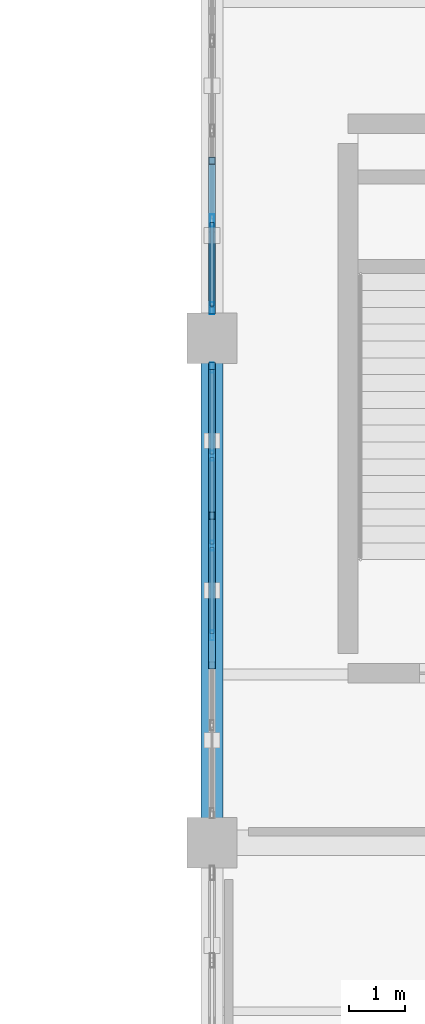
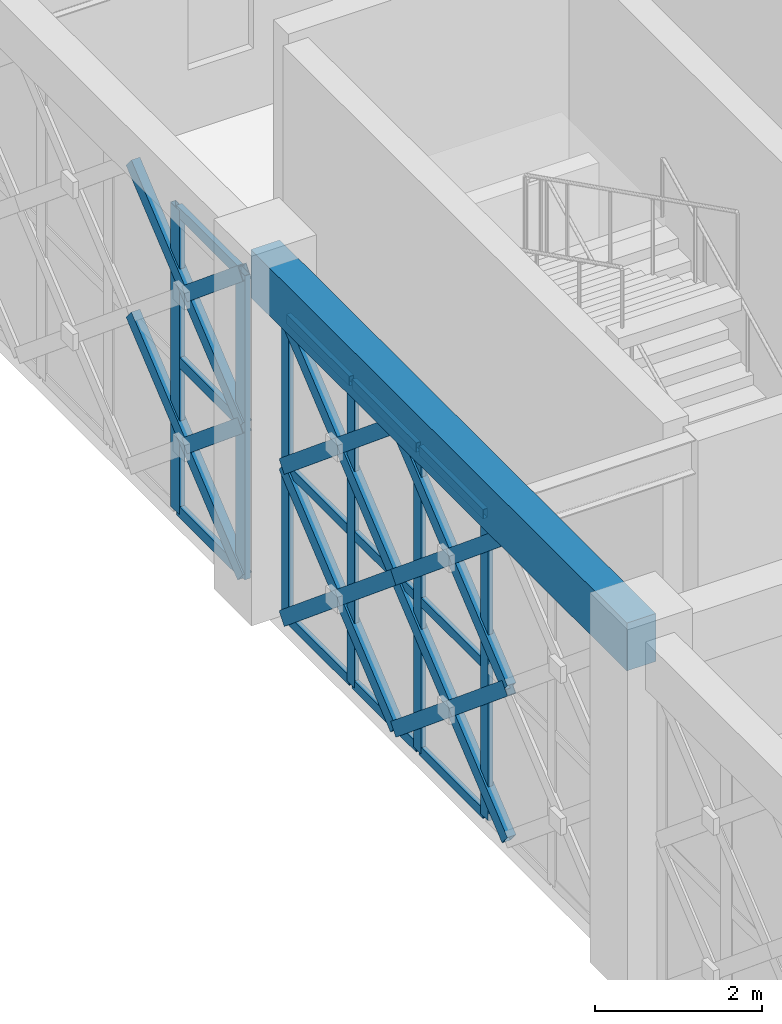
# One storey, part 49 of 166: 34 members, 1 beam, 2 elements without a shape of their own.
"""IFC4 building model written with IfcOpenShell, lengths in metres."""

import ifcopenshell
import ifcopenshell.guid

model = None  # the IFC model being written
_history = None  # IfcOwnerHistory: only IFC2X3 demands one
_inside = {}  # id of a spatial element -> (the spatial element, [elements in it])
_under = {}  # id of a project, library or spatial element -> (it, [spatial elements below it])
_declared = {}  # id of a project -> (the project, [libraries it declares])
_typed = {}  # id of a type object -> (the type object, [elements of that type])
_made_of = {}  # id of a material, layer set ... -> (it, [elements and type objects made of it])


def new_model(schema):
    """Start an empty IFC model of exactly this schema.

    Asked for "IFC4X3", IfcOpenShell would pick the latest addendum, in which some entities
    have other attributes; the version numbers below select the first issue.
    IFC2X3 requires an IfcOwnerHistory on every rooted entity: one is made here for all.
    """
    global model, _history
    if schema == "IFC4X3":
        model = ifcopenshell.file(schema_version=(4, 3, 0, 0))
    else:
        model = ifcopenshell.file(schema=schema)
    _inside.clear()
    _under.clear()
    _declared.clear()
    _typed.clear()
    _made_of.clear()
    _history = None
    if model.schema == "IFC2X3":
        org = make("IfcOrganization", Name="unknown")
        user = make(
            "IfcPersonAndOrganization",
            ThePerson=make("IfcPerson", FamilyName="unknown"),
            TheOrganization=org,
        )
        app = make(
            "IfcApplication",
            ApplicationDeveloper=org,
            Version="unknown",
            ApplicationFullName="unknown",
            ApplicationIdentifier="unknown",
        )
        _history = make(
            "IfcOwnerHistory",
            OwningUser=user,
            OwningApplication=app,
            ChangeAction="ADDED",
            CreationDate=0,
        )
    return model


def make(cls, **values):
    """One entity of the class cls with the attributes given. An attribute that is None is left unset."""
    return model.create_entity(
        cls, **{name: value for name, value in values.items() if value is not None}
    )


def rooted(cls, **values):
    """An entity with a GlobalId (a new one), such as an element, a storey or a relation."""
    return make(cls, GlobalId=ifcopenshell.guid.new(), OwnerHistory=_history, **values)


def si_unit(unit_type, name, prefix=None):
    """IfcSIUnit, for example si_unit("LENGTHUNIT", "METRE", prefix="MILLI")."""
    return make("IfcSIUnit", UnitType=unit_type, Prefix=prefix, Name=name)


def assignment(units):
    """IfcUnitAssignment: the units of a project."""
    return None if units is None else make("IfcUnitAssignment", Units=units)


def point(xyz):
    """IfcCartesianPoint."""
    return None if xyz is None else make("IfcCartesianPoint", Coordinates=xyz)


def direction(xyz):
    """IfcDirection."""
    return None if xyz is None else make("IfcDirection", DirectionRatios=xyz)


def frame(location, z_axis=None, x_axis=None):
    """IfcAxis2Placement3D, a coordinate frame: its origin and axes. An axis left out is left unset."""
    return make(
        "IfcAxis2Placement3D",
        Location=point(location),
        Axis=direction(z_axis),
        RefDirection=direction(x_axis),
    )


def frame_2d(location, x_axis=None):
    """IfcAxis2Placement2D, a coordinate frame in the plane: its origin and x axis."""
    return make(
        "IfcAxis2Placement2D", Location=point(location), RefDirection=direction(x_axis)
    )


def origin():
    """The frame at (0, 0, 0) with its axes left unset."""
    return frame((0.0, 0.0, 0.0))


def origin_2d():
    """The frame at (0, 0) in the plane with its x axis left unset."""
    return frame_2d((0.0, 0.0))


def place(relative_to, where):
    """IfcLocalPlacement: puts the frame where relative to a parent placement (None: the world)."""
    return make(
        "IfcLocalPlacement", PlacementRelTo=relative_to, RelativePlacement=where
    )


def context(
    kind, dimensions, precision=None, world=None, true_north=None, identifier=None
):
    """IfcGeometricRepresentationContext, for example the 3D "Model" context."""
    return make(
        "IfcGeometricRepresentationContext",
        ContextIdentifier=identifier,
        ContextType=kind,
        CoordinateSpaceDimension=dimensions,
        Precision=precision,
        WorldCoordinateSystem=world,
        TrueNorth=true_north,
    )


def subcontext(parent, identifier, kind, view, scale=None):
    """IfcGeometricRepresentationSubContext, for example "Body" below "Model"."""
    return make(
        "IfcGeometricRepresentationSubContext",
        ContextIdentifier=identifier,
        ContextType=kind,
        ParentContext=parent,
        TargetScale=scale,
        TargetView=view,
    )


def project(units=None, contexts=None):
    """IfcProject with its units and contexts."""
    return rooted(
        "IfcProject",
        Name="project",
        RepresentationContexts=contexts,
        UnitsInContext=assignment(units),
    )


def spatial(cls, under=None, at=None, **own):
    """A site, building, storey or space (cls), placed at a placement, below another one or the project."""
    s = rooted(cls, ObjectPlacement=at, **own)
    if under is not None:
        _under.setdefault(under.id(), (under, []))[1].append(s)
    return s


def profile(cls, at=None, kind="AREA", **sizes):
    """A parametric profile (cls). Its sizes go by their IFC names, for example OverallWidth=200.0."""
    return make(cls, ProfileType=kind, Position=at, **sizes)


def rectangle(**sizes):
    """IfcRectangleProfileDef."""
    return profile("IfcRectangleProfileDef", **sizes)


def hollow_rectangle(**sizes):
    """IfcRectangleHollowProfileDef."""
    return profile("IfcRectangleHollowProfileDef", **sizes)


def extrude(swept, where, along, depth):
    """IfcExtrudedAreaSolid: the profile swept, set in the frame where, extruded along a direction by depth."""
    return make(
        "IfcExtrudedAreaSolid",
        SweptArea=swept,
        Position=where,
        ExtrudedDirection=direction(along),
        Depth=depth,
    )


def shape(context_of_items, identifier, shape_type, items):
    """IfcShapeRepresentation: the items that make up one representation, for example the "Body"."""
    return make(
        "IfcShapeRepresentation",
        ContextOfItems=context_of_items,
        RepresentationIdentifier=identifier,
        RepresentationType=shape_type,
        Items=items,
    )


def material(Name=None, Category=None):
    """IfcMaterial."""
    return make("IfcMaterial", Name=Name, Category=Category)


def material_profile(
    of_material, cross_section, Name=None, Category=None, Priority=None
):
    """IfcMaterialProfile: a cross section and its material."""
    return make(
        "IfcMaterialProfile",
        Name=Name,
        Material=of_material,
        Profile=cross_section,
        Priority=Priority,
        Category=Category,
    )


def profile_set(profiles, Name=None, composite=None):
    """IfcMaterialProfileSet."""
    return make(
        "IfcMaterialProfileSet",
        Name=Name,
        MaterialProfiles=profiles,
        CompositeProfile=composite,
    )


def made_of(thing, what):
    """Note that an element or type object is made of a material, layer set ...; save() writes the relation."""
    if what is not None:
        _made_of.setdefault(what.id(), (what, []))[1].append(thing)
    return thing


def type_object(cls, material=None, **own):
    """A type object (cls), such as IfcWallType, which elements share."""
    return made_of(rooted(cls, **own), material)


def element(
    cls,
    number,
    at=None,
    inside=None,
    cuts=None,
    type_object=None,
    material=None,
    context=None,
    identifier="Body",
    shape_type=None,
    held_by="IfcProductDefinitionShape",
    body=None,
    shapes=None,
    **own,
):
    """One element of the class cls, such as IfcWall. Its Tag is "e" and its number.

    at: its placement. inside: the storey or other place that contains it. cuts: it is an
    opening in that element (IfcRelVoidsElement). A single representation is given by context,
    identifier, shape_type and body (its items); several are given by shapes. held_by: the class
    of the entity that holds the representations. save() writes the other relations.
    """
    e = rooted(cls, Tag="e%d" % number, ObjectPlacement=at, **own)
    if body is not None:
        shapes = [shape(context, identifier, shape_type, body)]
    if shapes is not None:
        e.Representation = make(held_by, Representations=shapes)
    if inside is not None:
        _inside.setdefault(inside.id(), (inside, []))[1].append(e)
    if cuts is not None:
        rooted(
            "IfcRelVoidsElement", RelatingBuildingElement=cuts, RelatedOpeningElement=e
        )
    if type_object is not None:
        _typed.setdefault(type_object.id(), (type_object, []))[1].append(e)
    return made_of(e, material)


def aggregate(whole, parts):
    """IfcRelAggregates: a whole, such as a stair, and the parts it consists of."""
    return rooted("IfcRelAggregates", RelatingObject=whole, RelatedObjects=parts)


def save(model, path):
    """Write the relations noted so far, then the file.

    IfcRelAggregates (storeys below a building ...), IfcRelContainedInSpatialStructure (elements
    in a storey), IfcRelDefinesByType, IfcRelAssociatesMaterial and IfcRelDeclares: one each for
    every whole, place, type object, material and project.
    """
    for whole, parts in _under.values():
        aggregate(whole, parts)
    for where, things in _inside.values():
        rooted(
            "IfcRelContainedInSpatialStructure",
            RelatedElements=things,
            RelatingStructure=where,
        )
    for kind, things in _typed.values():
        rooted("IfcRelDefinesByType", RelatedObjects=things, RelatingType=kind)
    for what, things in _made_of.values():
        rooted("IfcRelAssociatesMaterial", RelatedObjects=things, RelatingMaterial=what)
    for by, libraries in _declared.values():
        rooted("IfcRelDeclares", RelatingContext=by, RelatedDefinitions=libraries)
    model.write(path)


model = new_model("IFC4")

# Units and contexts
model_context = context("Model", 3, precision=1e-05, world=origin(), true_north=direction((0.0, 1.0)))
body_context = subcontext(model_context, "Body", "Model", "MODEL_VIEW")
ifc_project = project(units=[si_unit("LENGTHUNIT", "METRE"), si_unit("AREAUNIT", "SQUARE_METRE"), si_unit("VOLUMEUNIT", "CUBIC_METRE"), si_unit("PLANEANGLEUNIT", "RADIAN"), si_unit("MASSUNIT", "GRAM", prefix="KILO")], contexts=[model_context])

# Site, building, storey
site_placement = place(None, origin())
site = spatial("IfcSite", under=ifc_project, at=site_placement, CompositionType="ELEMENT")
building_placement = place(site_placement, origin())
building = spatial("IfcBuilding", under=site, at=building_placement, Name="Haizhuo Lancet Aquarium", CompositionType="ELEMENT")
storey_placement = place(building_placement, frame((0.0, 0.0, 5.39990234375)))
storey = spatial("IfcBuildingStorey", under=building, at=storey_placement, Name="L01", CompositionType="ELEMENT", Elevation=5.39990234375)

# Beam
ifc_material_1 = material(Name="Concrete C40/50", Category="concrete")
ifc_material_profile_1 = material_profile(ifc_material_1, rectangle(XDim=0.39990234375, YDim=0.699951171875, at=origin_2d()), Name="RC-BM 400x700")
ifc_profile_set_1 = profile_set([ifc_material_profile_1], Name="Concrete C40/50")
beam_type = type_object("IfcBeamType", Name="BM-RC-400x700", PredefinedType="BEAM", material=ifc_profile_set_1)
beam_placement = place(storey_placement, frame((27.0, -27.0, 4.7900390625), z_axis=(0.0, 1.0, 0.0), x_axis=(-1.0, 0.0, 0.0)))
element("IfcBeam", 1, at=beam_placement, inside=storey, type_object=beam_type, Name="L01 V3 primary girder BM-L01-V3-003", PredefinedType="BEAM", context=body_context, shape_type="SweptSolid", body=[
    extrude(rectangle(XDim=0.39990234375, YDim=0.699951171875, at=origin_2d()), origin(), (0.0, 0.0, 1.0), 9.0),
])

# Curtain wall, members
ifc_material_2 = material(Name="Aluminium 6063-T6", Category="aluminium")
curtain_wall_type = type_object("IfcCurtainWallType", Name="CWO-8010x4440", PredefinedType="NOTDEFINED", material=ifc_material_2)
curtain_wall_1_placement = place(storey_placement, origin())
curtain_wall_1 = element("IfcCurtainWall", 2, at=curtain_wall_1_placement, inside=storey, type_object=curtain_wall_type, Name="L01 curtain wall CW-V3-L01-049", PredefinedType="NOTDEFINED")
ifc_material_profile_2 = material_profile(ifc_material_2, hollow_rectangle(XDim=0.06494140625, YDim=0.179931640625, WallThickness=0.00390625, at=origin_2d()), Name="ALU-M 65x180x4")
ifc_profile_set_2 = profile_set([ifc_material_profile_2], Name="Aluminium 6063-T6")
member_type_1 = type_object("IfcMemberType", Name="CW-MUL-1", PredefinedType="MULLION", material=ifc_profile_set_2)
member_1_placement = place(storey_placement, frame((27.0, -23.301025390625, 0.0), z_axis=(0.0, 0.0, 1.0), x_axis=(-1.0, 0.0, 0.0)))
member_1 = element("IfcMember", 3, at=member_1_placement, type_object=member_type_1, Name="CWO-80x44 mullion 3", PredefinedType="MULLION", context=body_context, shape_type="SweptSolid", body=[
    extrude(hollow_rectangle(XDim=0.06494140625, YDim=0.179931640625, WallThickness=0.00390625, at=origin_2d()), origin(), (0.0, 0.0, 1.0), 4.440185546875),
])
member_2_placement = place(storey_placement, frame((27.0, -21.698974609375, 0.0), z_axis=(0.0, 0.0, 1.0), x_axis=(-1.0, 0.0, 0.0)))
member_2 = element("IfcMember", 4, at=member_2_placement, type_object=member_type_1, Name="CWO-80x44 mullion 4", PredefinedType="MULLION", context=body_context, shape_type="SweptSolid", body=[
    extrude(hollow_rectangle(XDim=0.06494140625, YDim=0.179931640625, WallThickness=0.00390625, at=origin_2d()), origin(), (0.0, 0.0, 1.0), 4.440185546875),
])
member_3_placement = place(storey_placement, frame((27.0, -20.096923828125, 0.0), z_axis=(0.0, 0.0, 1.0), x_axis=(-1.0, 0.0, 0.0)))
member_3 = element("IfcMember", 5, at=member_3_placement, type_object=member_type_1, Name="CWO-80x44 mullion 5", PredefinedType="MULLION", context=body_context, shape_type="SweptSolid", body=[
    extrude(hollow_rectangle(XDim=0.06494140625, YDim=0.179931640625, WallThickness=0.00390625, at=origin_2d()), origin(), (0.0, 0.0, 1.0), 4.440185546875),
])
member_4_placement = place(storey_placement, frame((27.0, -18.527099609375, 0.0), z_axis=(0.0, 0.0, 1.0), x_axis=(-1.0, 0.0, 0.0)))
member_4 = element("IfcMember", 6, at=member_4_placement, type_object=member_type_1, Name="CWO-80x44 mullion 6", PredefinedType="MULLION", context=body_context, shape_type="SweptSolid", body=[
    extrude(hollow_rectangle(XDim=0.06494140625, YDim=0.179931640625, WallThickness=0.00390625, at=origin_2d()), origin(), (0.0, 0.0, 1.0), 4.440185546875),
])

curtain_wall_2_placement = place(storey_placement, origin())
curtain_wall_2 = element("IfcCurtainWall", 7, at=curtain_wall_2_placement, inside=storey, type_object=curtain_wall_type, Name="L01 curtain wall CW-V3-L01-050", PredefinedType="NOTDEFINED")
ifc_material_profile_3 = material_profile(ifc_material_2, hollow_rectangle(XDim=0.074951171875, YDim=0.219970703125, WallThickness=0.0048828125, at=origin_2d()), Name="ALU-M 75x220x5")
ifc_profile_set_3 = profile_set([ifc_material_profile_3], Name="Aluminium 6063-T6")
member_type_2 = type_object("IfcMemberType", Name="CW-MUL-2", PredefinedType="MULLION", material=ifc_profile_set_3)
member_5_placement = place(storey_placement, frame((27.0, -17.467041015625, 0.0), z_axis=(0.0, 0.0, 1.0), x_axis=(-1.0, 0.0, 0.0)))
member_5 = element("IfcMember", 8, at=member_5_placement, type_object=member_type_2, Name="CWO-80x44 mullion 1", PredefinedType="MULLION", context=body_context, shape_type="SweptSolid", body=[
    extrude(hollow_rectangle(XDim=0.074951171875, YDim=0.219970703125, WallThickness=0.0048828125, at=origin_2d()), origin(), (0.0, 0.0, 1.0), 4.440185546875),
])
member_6_placement = place(storey_placement, frame((27.0, -15.903076171875, 0.0), z_axis=(0.0, 0.0, 1.0), x_axis=(-1.0, 0.0, 0.0)))
member_6 = element("IfcMember", 9, at=member_6_placement, type_object=member_type_2, Name="CWO-80x44 mullion 2", PredefinedType="MULLION", context=body_context, shape_type="SweptSolid", body=[
    extrude(hollow_rectangle(XDim=0.074951171875, YDim=0.219970703125, WallThickness=0.0048828125, at=origin_2d()), origin(), (0.0, 0.0, 1.0), 4.440185546875),
])

# Member
ifc_material_profile_4 = material_profile(ifc_material_2, hollow_rectangle(XDim=0.06494140625, YDim=0.139892578125, WallThickness=0.00390625, at=origin_2d()), Name="ALU-T 65x140x4")
ifc_profile_set_4 = profile_set([ifc_material_profile_4], Name="Aluminium 6063-T6")
member_type_3 = type_object("IfcMemberType", Name="CW-TRN-1", PredefinedType="NOTDEFINED", material=ifc_profile_set_4)
member_7_placement = place(storey_placement, frame((27.0, -23.26806640625, 0.033203125), z_axis=(0.0, 1.0, 0.0), x_axis=(-1.0, 0.0, 0.0)))
member_7 = element("IfcMember", 10, at=member_7_placement, type_object=member_type_3, Name="CWO-80x44 transom 3.1", ObjectType="TRANSOM", PredefinedType="USERDEFINED", context=body_context, shape_type="SweptSolid", body=[
    extrude(hollow_rectangle(XDim=0.06494140625, YDim=0.139892578125, WallThickness=0.00390625, at=origin_2d()), origin(), (0.0, 0.0, 1.0), 1.5361328125),
])

member_8_placement = place(storey_placement, frame((27.0, -23.26806640625, 2.22021484375), z_axis=(0.0, 1.0, 0.0), x_axis=(-1.0, 0.0, 0.0)))
member_8 = element("IfcMember", 11, at=member_8_placement, type_object=member_type_3, Name="CWO-80x44 transom 3.2", ObjectType="TRANSOM", PredefinedType="USERDEFINED", context=body_context, shape_type="SweptSolid", body=[
    extrude(hollow_rectangle(XDim=0.06494140625, YDim=0.139892578125, WallThickness=0.00390625, at=origin_2d()), origin(), (0.0, 0.0, 1.0), 1.5361328125),
])

member_9_placement = place(storey_placement, frame((27.0, -23.26806640625, 4.406982421875), z_axis=(0.0, 1.0, 0.0), x_axis=(-1.0, 0.0, 0.0)))
member_9 = element("IfcMember", 12, at=member_9_placement, type_object=member_type_3, Name="CWO-80x44 transom 3.3", ObjectType="TRANSOM", PredefinedType="USERDEFINED", context=body_context, shape_type="SweptSolid", body=[
    extrude(hollow_rectangle(XDim=0.06494140625, YDim=0.139892578125, WallThickness=0.00390625, at=origin_2d()), origin(), (0.0, 0.0, 1.0), 1.5361328125),
])

member_10_placement = place(storey_placement, frame((27.0, -21.666015625, 0.033203125), z_axis=(0.0, 1.0, 0.0), x_axis=(-1.0, 0.0, 0.0)))
member_10 = element("IfcMember", 13, at=member_10_placement, type_object=member_type_3, Name="CWO-80x44 transom 4.1", ObjectType="TRANSOM", PredefinedType="USERDEFINED", context=body_context, shape_type="SweptSolid", body=[
    extrude(hollow_rectangle(XDim=0.06494140625, YDim=0.139892578125, WallThickness=0.00390625, at=origin_2d()), origin(), (0.0, 0.0, 1.0), 1.5361328125),
])

member_11_placement = place(storey_placement, frame((27.0, -21.666015625, 2.22021484375), z_axis=(0.0, 1.0, 0.0), x_axis=(-1.0, 0.0, 0.0)))
member_11 = element("IfcMember", 14, at=member_11_placement, type_object=member_type_3, Name="CWO-80x44 transom 4.2", ObjectType="TRANSOM", PredefinedType="USERDEFINED", context=body_context, shape_type="SweptSolid", body=[
    extrude(hollow_rectangle(XDim=0.06494140625, YDim=0.139892578125, WallThickness=0.00390625, at=origin_2d()), origin(), (0.0, 0.0, 1.0), 1.5361328125),
])

member_12_placement = place(storey_placement, frame((27.0, -21.666015625, 4.406982421875), z_axis=(0.0, 1.0, 0.0), x_axis=(-1.0, 0.0, 0.0)))
member_12 = element("IfcMember", 15, at=member_12_placement, type_object=member_type_3, Name="CWO-80x44 transom 4.3", ObjectType="TRANSOM", PredefinedType="USERDEFINED", context=body_context, shape_type="SweptSolid", body=[
    extrude(hollow_rectangle(XDim=0.06494140625, YDim=0.139892578125, WallThickness=0.00390625, at=origin_2d()), origin(), (0.0, 0.0, 1.0), 1.5361328125),
])

member_13_placement = place(storey_placement, frame((27.0, -20.06494140625, 0.033203125), z_axis=(0.0, 1.0, 0.0), x_axis=(-1.0, 0.0, 0.0)))
member_13 = element("IfcMember", 16, at=member_13_placement, type_object=member_type_3, Name="CWO-80x44 transom 5.1", ObjectType="TRANSOM", PredefinedType="USERDEFINED", context=body_context, shape_type="SweptSolid", body=[
    extrude(hollow_rectangle(XDim=0.06494140625, YDim=0.139892578125, WallThickness=0.00390625, at=origin_2d()), origin(), (0.0, 0.0, 1.0), 1.5048828125),
])

member_14_placement = place(storey_placement, frame((27.0, -20.06494140625, 2.22021484375), z_axis=(0.0, 1.0, 0.0), x_axis=(-1.0, 0.0, 0.0)))
member_14 = element("IfcMember", 17, at=member_14_placement, type_object=member_type_3, Name="CWO-80x44 transom 5.2", ObjectType="TRANSOM", PredefinedType="USERDEFINED", context=body_context, shape_type="SweptSolid", body=[
    extrude(hollow_rectangle(XDim=0.06494140625, YDim=0.139892578125, WallThickness=0.00390625, at=origin_2d()), origin(), (0.0, 0.0, 1.0), 1.5048828125),
])

member_15_placement = place(storey_placement, frame((27.0, -20.06494140625, 4.406982421875), z_axis=(0.0, 1.0, 0.0), x_axis=(-1.0, 0.0, 0.0)))
member_15 = element("IfcMember", 18, at=member_15_placement, type_object=member_type_3, Name="CWO-80x44 transom 5.3", ObjectType="TRANSOM", PredefinedType="USERDEFINED", context=body_context, shape_type="SweptSolid", body=[
    extrude(hollow_rectangle(XDim=0.06494140625, YDim=0.139892578125, WallThickness=0.00390625, at=origin_2d()), origin(), (0.0, 0.0, 1.0), 1.5048828125),
])

aggregate(curtain_wall_1, [member_1, member_2, member_3, member_4, member_7, member_8, member_9, member_10, member_11, member_12, member_13, member_14, member_15])

ifc_material_profile_5 = material_profile(ifc_material_2, hollow_rectangle(XDim=0.074951171875, YDim=0.159912109375, WallThickness=0.00390625, at=origin_2d()), Name="ALU-T 75x160x4")
ifc_profile_set_5 = profile_set([ifc_material_profile_5], Name="Aluminium 6063-T6")
member_type_4 = type_object("IfcMemberType", Name="CW-TRN-2", PredefinedType="NOTDEFINED", material=ifc_profile_set_5)
member_16_placement = place(storey_placement, frame((27.0, -17.429931640625, 0.0380859375), z_axis=(0.0, 1.0, 0.0), x_axis=(-1.0, 0.0, 0.0)))
member_16 = element("IfcMember", 19, at=member_16_placement, type_object=member_type_4, Name="CWO-80x44 transom 1.1", ObjectType="TRANSOM", PredefinedType="USERDEFINED", context=body_context, shape_type="SweptSolid", body=[
    extrude(hollow_rectangle(XDim=0.074951171875, YDim=0.159912109375, WallThickness=0.00390625, at=origin_2d()), origin(), (0.0, 0.0, 1.0), 1.489013671875),
])

member_17_placement = place(storey_placement, frame((27.0, -17.429931640625, 2.22021484375), z_axis=(0.0, 1.0, 0.0), x_axis=(-1.0, 0.0, 0.0)))
member_17 = element("IfcMember", 20, at=member_17_placement, type_object=member_type_4, Name="CWO-80x44 transom 1.2", ObjectType="TRANSOM", PredefinedType="USERDEFINED", context=body_context, shape_type="SweptSolid", body=[
    extrude(hollow_rectangle(XDim=0.074951171875, YDim=0.159912109375, WallThickness=0.00390625, at=origin_2d()), origin(), (0.0, 0.0, 1.0), 1.489013671875),
])

member_18_placement = place(storey_placement, frame((27.0, -17.429931640625, 4.403076171875), z_axis=(0.0, 1.0, 0.0), x_axis=(-1.0, 0.0, 0.0)))
member_18 = element("IfcMember", 21, at=member_18_placement, type_object=member_type_4, Name="CWO-80x44 transom 1.3", ObjectType="TRANSOM", PredefinedType="USERDEFINED", context=body_context, shape_type="SweptSolid", body=[
    extrude(hollow_rectangle(XDim=0.074951171875, YDim=0.159912109375, WallThickness=0.00390625, at=origin_2d()), origin(), (0.0, 0.0, 1.0), 1.489013671875),
])

aggregate(curtain_wall_2, [member_5, member_6, member_16, member_17, member_18])

# Members
ifc_material_3 = material(Name="Steel S355", Category="steel")
ifc_material_profile_6 = material_profile(ifc_material_3, hollow_rectangle(XDim=0.1201171875, YDim=0.199951171875, WallThickness=0.008056640625, at=origin_2d()), Name="RHS 120x200x8")
ifc_profile_set_6 = profile_set([ifc_material_profile_6], Name="Steel S355")
member_type_5 = type_object("IfcMemberType", Name="MEM-LB-RHS120x200", PredefinedType="BRACE", material=ifc_profile_set_6)
member_19_placement = place(storey_placement, frame((27.0, -23.8349609375, 0.0), z_axis=(0.0, 0.768889363983, 0.63938184675), x_axis=(-1.0, 0.0, 0.0)))
element("IfcMember", 22, at=member_19_placement, inside=storey, type_object=member_type_5, Name="Gothic lancet continuous diagonal brace CW-V3-L01-049 3A", PredefinedType="BRACE", context=body_context, shape_type="SweptSolid", body=[
    extrude(hollow_rectangle(XDim=0.1201171875, YDim=0.199951171875, WallThickness=0.008056640625, at=origin_2d()), origin(), (0.0, 0.0, 1.0), 3.472412109375),
])
for number, where, z_axis, x_axis, name in (
    (23, (27.0, -21.1650390625, 0.0), (0.0, -0.768889363983, 0.63938184675), (1.0, 0.0, 0.0), "Gothic lancet split diagonal brace CW-V3-L01-049 3B1"),
    (24, (27.0, -22.5, 1.110107421875), (0.0, -0.768889363983, 0.63938184675), (1.0, 0.0, 0.0), "Gothic lancet split diagonal brace CW-V3-L01-049 3B2"),
):
    element("IfcMember", number, at=place(storey_placement, frame(where, z_axis=z_axis, x_axis=x_axis)), inside=storey, type_object=member_type_5, Name=name, PredefinedType="BRACE", context=body_context, shape_type="SweptSolid", body=[
        extrude(hollow_rectangle(XDim=0.1201171875, YDim=0.199951171875, WallThickness=0.008056640625, at=origin_2d()), origin(), (0.0, 0.0, 1.0), 1.736328125),
    ])
member_20_placement = place(storey_placement, frame((27.0, -23.8349609375, 2.22021484375), z_axis=(0.0, 0.768923928852, 0.639340278443), x_axis=(-1.0, 0.0, 0.0)))
element("IfcMember", 25, at=member_20_placement, inside=storey, type_object=member_type_5, Name="Gothic lancet continuous diagonal brace CW-V3-L01-049 4A", PredefinedType="BRACE", context=body_context, shape_type="SweptSolid", body=[
    extrude(hollow_rectangle(XDim=0.1201171875, YDim=0.199951171875, WallThickness=0.008056640625, at=origin_2d()), origin(), (0.0, 0.0, 1.0), 3.47216796875),
])
member_21_placement = place(storey_placement, frame((27.0, -21.1650390625, 2.22021484375), z_axis=(0.0, -0.768958494581, 0.639298704529), x_axis=(1.0, 0.0, 0.0)))
element("IfcMember", 26, at=member_21_placement, inside=storey, type_object=member_type_5, Name="Gothic lancet split diagonal brace CW-V3-L01-049 4B1", PredefinedType="BRACE", context=body_context, shape_type="SweptSolid", body=[
    extrude(hollow_rectangle(XDim=0.1201171875, YDim=0.199951171875, WallThickness=0.008056640625, at=origin_2d()), origin(), (0.0, 0.0, 1.0), 1.736083984375),
])
member_22_placement = place(storey_placement, frame((27.0, -22.5, 3.330078125), z_axis=(0.0, -0.768889363983, 0.63938184675), x_axis=(1.0, 0.0, 0.0)))
element("IfcMember", 27, at=member_22_placement, inside=storey, type_object=member_type_5, Name="Gothic lancet split diagonal brace CW-V3-L01-049 4B2", PredefinedType="BRACE", context=body_context, shape_type="SweptSolid", body=[
    extrude(hollow_rectangle(XDim=0.1201171875, YDim=0.199951171875, WallThickness=0.008056640625, at=origin_2d()), origin(), (0.0, 0.0, 1.0), 1.736328125),
])
member_23_placement = place(storey_placement, frame((27.0, -21.1650390625, 0.0), z_axis=(0.0, 0.768889363983, 0.63938184675), x_axis=(-1.0, 0.0, 0.0)))
element("IfcMember", 28, at=member_23_placement, inside=storey, type_object=member_type_5, Name="Gothic lancet continuous diagonal brace CW-V3-L01-049 5A", PredefinedType="BRACE", context=body_context, shape_type="SweptSolid", body=[
    extrude(hollow_rectangle(XDim=0.1201171875, YDim=0.199951171875, WallThickness=0.008056640625, at=origin_2d()), origin(), (0.0, 0.0, 1.0), 3.472412109375),
])
for number, where, z_axis, x_axis, name in (
    (29, (27.0, -18.4951171875, 0.0), (0.0, -0.768889363983, 0.63938184675), (1.0, 0.0, 0.0), "Gothic lancet split diagonal brace CW-V3-L01-049 5B1"),
    (30, (27.0, -19.830078125, 1.110107421875), (0.0, -0.768889363983, 0.63938184675), (1.0, 0.0, 0.0), "Gothic lancet split diagonal brace CW-V3-L01-049 5B2"),
):
    element("IfcMember", number, at=place(storey_placement, frame(where, z_axis=z_axis, x_axis=x_axis)), inside=storey, type_object=member_type_5, Name=name, PredefinedType="BRACE", context=body_context, shape_type="SweptSolid", body=[
        extrude(hollow_rectangle(XDim=0.1201171875, YDim=0.199951171875, WallThickness=0.008056640625, at=origin_2d()), origin(), (0.0, 0.0, 1.0), 1.736328125),
    ])
member_24_placement = place(storey_placement, frame((27.0, -21.1650390625, 2.22021484375), z_axis=(0.0, 0.768923928852, 0.639340278443), x_axis=(-1.0, 0.0, 0.0)))
element("IfcMember", 31, at=member_24_placement, inside=storey, type_object=member_type_5, Name="Gothic lancet continuous diagonal brace CW-V3-L01-049 6A", PredefinedType="BRACE", context=body_context, shape_type="SweptSolid", body=[
    extrude(hollow_rectangle(XDim=0.1201171875, YDim=0.199951171875, WallThickness=0.008056640625, at=origin_2d()), origin(), (0.0, 0.0, 1.0), 3.47216796875),
])
member_25_placement = place(storey_placement, frame((27.0, -18.4951171875, 2.22021484375), z_axis=(0.0, -0.768958494581, 0.639298704529), x_axis=(1.0, 0.0, 0.0)))
element("IfcMember", 32, at=member_25_placement, inside=storey, type_object=member_type_5, Name="Gothic lancet split diagonal brace CW-V3-L01-049 6B1", PredefinedType="BRACE", context=body_context, shape_type="SweptSolid", body=[
    extrude(hollow_rectangle(XDim=0.1201171875, YDim=0.199951171875, WallThickness=0.008056640625, at=origin_2d()), origin(), (0.0, 0.0, 1.0), 1.736083984375),
])
member_26_placement = place(storey_placement, frame((27.0, -19.830078125, 3.330078125), z_axis=(0.0, -0.768889363983, 0.63938184675), x_axis=(1.0, 0.0, 0.0)))
element("IfcMember", 33, at=member_26_placement, inside=storey, type_object=member_type_5, Name="Gothic lancet split diagonal brace CW-V3-L01-049 6B2", PredefinedType="BRACE", context=body_context, shape_type="SweptSolid", body=[
    extrude(hollow_rectangle(XDim=0.1201171875, YDim=0.199951171875, WallThickness=0.008056640625, at=origin_2d()), origin(), (0.0, 0.0, 1.0), 1.736328125),
])
member_27_placement = place(storey_placement, frame((27.0, -17.5048828125, 0.0), z_axis=(0.0, 0.768889363983, 0.63938184675), x_axis=(-1.0, 0.0, 0.0)))
element("IfcMember", 34, at=member_27_placement, inside=storey, type_object=member_type_5, Name="Gothic lancet continuous diagonal brace CW-V3-L01-050 1A", PredefinedType="BRACE", context=body_context, shape_type="SweptSolid", body=[
    extrude(hollow_rectangle(XDim=0.1201171875, YDim=0.199951171875, WallThickness=0.008056640625, at=origin_2d()), origin(), (0.0, 0.0, 1.0), 3.472412109375),
])
member_28_placement = place(storey_placement, frame((27.0, -16.169921875, 1.110107421875), z_axis=(0.0, -0.768889363983, 0.63938184675), x_axis=(1.0, 0.0, 0.0)))
element("IfcMember", 35, at=member_28_placement, inside=storey, type_object=member_type_5, Name="Gothic lancet split diagonal brace CW-V3-L01-050 1B2", PredefinedType="BRACE", context=body_context, shape_type="SweptSolid", body=[
    extrude(hollow_rectangle(XDim=0.1201171875, YDim=0.199951171875, WallThickness=0.008056640625, at=origin_2d()), origin(), (0.0, 0.0, 1.0), 1.736328125),
])
member_29_placement = place(storey_placement, frame((27.0, -17.5048828125, 2.22021484375), z_axis=(0.0, 0.768923928852, 0.639340278443), x_axis=(-1.0, 0.0, 0.0)))
element("IfcMember", 36, at=member_29_placement, inside=storey, type_object=member_type_5, Name="Gothic lancet continuous diagonal brace CW-V3-L01-050 2A", PredefinedType="BRACE", context=body_context, shape_type="SweptSolid", body=[
    extrude(hollow_rectangle(XDim=0.1201171875, YDim=0.199951171875, WallThickness=0.008056640625, at=origin_2d()), origin(), (0.0, 0.0, 1.0), 3.47216796875),
])
member_30_placement = place(storey_placement, frame((27.0, -16.169921875, 3.330078125), z_axis=(0.0, -0.768889363983, 0.63938184675), x_axis=(1.0, 0.0, 0.0)))
element("IfcMember", 37, at=member_30_placement, inside=storey, type_object=member_type_5, Name="Gothic lancet split diagonal brace CW-V3-L01-050 2B2", PredefinedType="BRACE", context=body_context, shape_type="SweptSolid", body=[
    extrude(hollow_rectangle(XDim=0.1201171875, YDim=0.199951171875, WallThickness=0.008056640625, at=origin_2d()), origin(), (0.0, 0.0, 1.0), 1.736328125),
])

save(model, "model.ifc")
